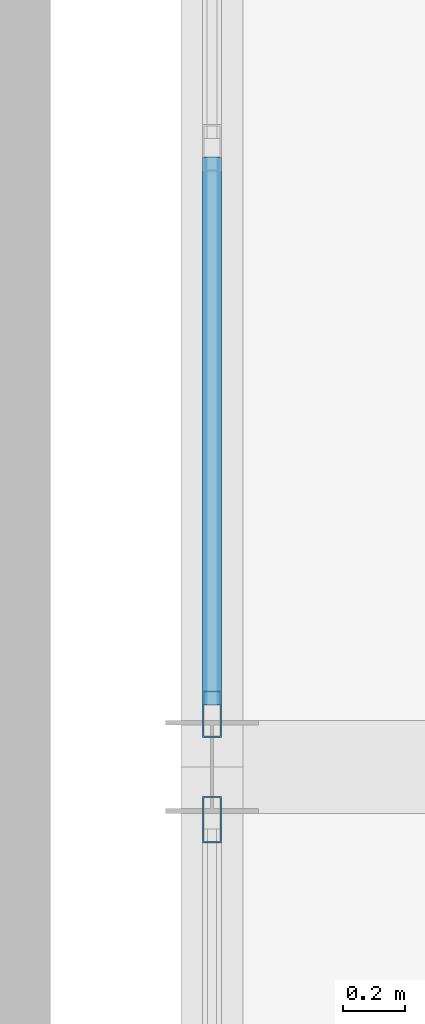
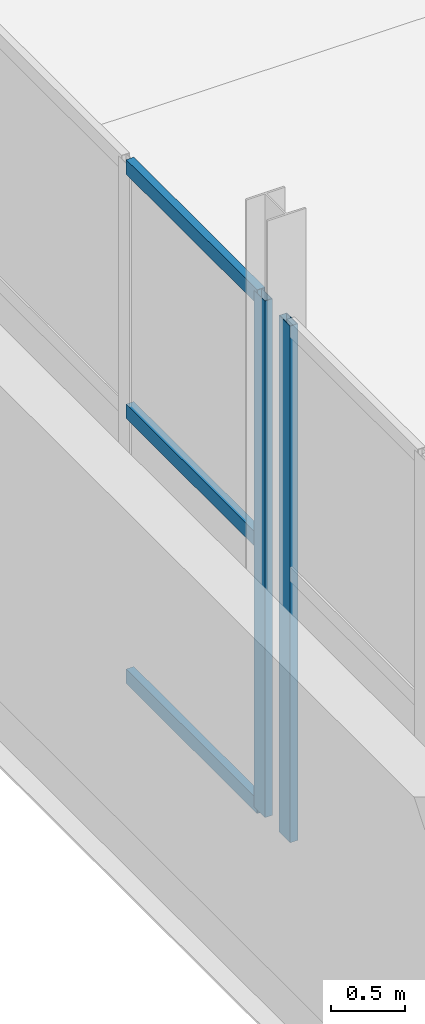
# One storey, part 126 of 218: 5 members, 2 elements without a shape of their own.
"""IFC4 building model written with IfcOpenShell, lengths in metres."""

from ifc_helpers import new_model, si_unit, direction, frame, origin, origin_2d, place, context, subcontext, project, spatial, hollow_rectangle, extrude, material, material_profile, profile_set, type_object, element, aggregate, save


model = new_model("IFC4")

# Units and contexts
model_context = context("Model", 3, precision=1e-05, world=origin(), true_north=direction((0.0, 1.0)))
body_context = subcontext(model_context, "Body", "Model", "MODEL_VIEW")
ifc_project = project(units=[si_unit("LENGTHUNIT", "METRE"), si_unit("AREAUNIT", "SQUARE_METRE"), si_unit("VOLUMEUNIT", "CUBIC_METRE"), si_unit("PLANEANGLEUNIT", "RADIAN"), si_unit("MASSUNIT", "GRAM", prefix="KILO")], contexts=[model_context])

# Site, building, storey
site_placement = place(None, origin())
site = spatial("IfcSite", under=ifc_project, at=site_placement, CompositionType="ELEMENT")
building_placement = place(site_placement, origin())
building = spatial("IfcBuilding", under=site, at=building_placement, Name="Kazenagashi Tramway Depot", CompositionType="ELEMENT")
storey_placement = place(building_placement, frame((0.0, 0.0, 6.0)))
storey = spatial("IfcBuildingStorey", under=building, at=storey_placement, Name="L02", CompositionType="ELEMENT", Elevation=6.0)

# Curtain wall, member
ifc_material_1 = material(Name="Anodised Aluminium and Low-E Glazing", Category="aluminium")
curtain_wall_type = type_object("IfcCurtainWallType", Name="CW-31", PredefinedType="USERDEFINED", material=ifc_material_1)
curtain_wall_1_placement = place(storey_placement, origin())
curtain_wall_1 = element("IfcCurtainWall", 1, at=curtain_wall_1_placement, inside=storey, type_object=curtain_wall_type, Name="Industrial Glazed Screen CW-31 CW-0167", ObjectType="GLAZED SCREEN", PredefinedType="USERDEFINED")
ifc_material_2 = material(Name="Anodised Aluminium", Category="aluminium")
ifc_material_profile_1 = material_profile(ifc_material_2, hollow_rectangle(XDim=0.06, YDim=0.15, WallThickness=0.004, at=origin_2d()), Name="RHS-150x60x4")
ifc_profile_set_1 = profile_set([ifc_material_profile_1], Name="Anodised Aluminium")
member_type_1 = type_object("IfcMemberType", Name="ML-01", PredefinedType="MULLION", material=ifc_profile_set_1)
member_1_placement = place(storey_placement, frame((146.3, 46.03, 0.0), z_axis=(0.0, 0.0, 1.0), x_axis=(-1.0, 0.0, 0.0)))
member_1 = element("IfcMember", 2, at=member_1_placement, type_object=member_type_1, Name="CW-31 mullion 5", PredefinedType="MULLION", context=body_context, shape_type="SweptSolid", body=[
    extrude(hollow_rectangle(XDim=0.06, YDim=0.15, WallThickness=0.004, at=origin_2d()), origin(), (0.0, 0.0, 1.0), 4.25),
])
aggregate(curtain_wall_1, [member_1])

# Curtain wall, members
curtain_wall_2_placement = place(storey_placement, origin())
curtain_wall_2 = element("IfcCurtainWall", 3, at=curtain_wall_2_placement, inside=storey, type_object=curtain_wall_type, Name="Industrial Glazed Screen CW-31 CW-0169", ObjectType="GLAZED SCREEN", PredefinedType="USERDEFINED")
member_2_placement = place(storey_placement, frame((146.3, 46.37, 0.0), z_axis=(0.0, 0.0, 1.0), x_axis=(-1.0, 0.0, 0.0)))
member_2 = element("IfcMember", 4, at=member_2_placement, type_object=member_type_1, Name="CW-31 mullion 1", PredefinedType="MULLION", context=body_context, shape_type="SweptSolid", body=[
    extrude(hollow_rectangle(XDim=0.06, YDim=0.15, WallThickness=0.004, at=origin_2d()), origin(), (0.0, 0.0, 1.0), 4.25),
])
ifc_material_profile_2 = material_profile(ifc_material_2, hollow_rectangle(XDim=0.06, YDim=0.12, WallThickness=0.004, at=origin_2d()), Name="RHS-120x60x4")
ifc_profile_set_2 = profile_set([ifc_material_profile_2], Name="Anodised Aluminium")
member_type_2 = type_object("IfcMemberType", Name="TR-01", PredefinedType="USERDEFINED", material=ifc_profile_set_2)
member_3_placement = place(storey_placement, frame((146.3, 46.4, 0.03), z_axis=(0.0, 1.0, 0.0), x_axis=(-1.0, 0.0, 0.0)))
member_3 = element("IfcMember", 5, at=member_3_placement, type_object=member_type_2, Name="CW-31 transom 1.1", ObjectType="TRANSOM", PredefinedType="USERDEFINED", context=body_context, shape_type="SweptSolid", body=[
    extrude(hollow_rectangle(XDim=0.06, YDim=0.12, WallThickness=0.004, at=origin_2d()), origin(), (0.0, 0.0, 1.0), 1.765),
])
member_4_placement = place(storey_placement, frame((146.3, 46.4, 2.21), z_axis=(0.0, 1.0, 0.0), x_axis=(-1.0, 0.0, 0.0)))
member_4 = element("IfcMember", 6, at=member_4_placement, type_object=member_type_2, Name="CW-31 transom 1.2", ObjectType="TRANSOM", PredefinedType="USERDEFINED", context=body_context, shape_type="SweptSolid", body=[
    extrude(hollow_rectangle(XDim=0.06, YDim=0.12, WallThickness=0.004, at=origin_2d()), origin(), (0.0, 0.0, 1.0), 1.765),
])
member_5_placement = place(storey_placement, frame((146.3, 46.4, 4.22), z_axis=(0.0, 1.0, 0.0), x_axis=(-1.0, 0.0, 0.0)))
member_5 = element("IfcMember", 7, at=member_5_placement, type_object=member_type_2, Name="CW-31 transom 1.3", ObjectType="TRANSOM", PredefinedType="USERDEFINED", context=body_context, shape_type="SweptSolid", body=[
    extrude(hollow_rectangle(XDim=0.06, YDim=0.12, WallThickness=0.004, at=origin_2d()), origin(), (0.0, 0.0, 1.0), 1.765),
])
aggregate(curtain_wall_2, [member_2, member_3, member_4, member_5])

save(model, "model.ifc")
